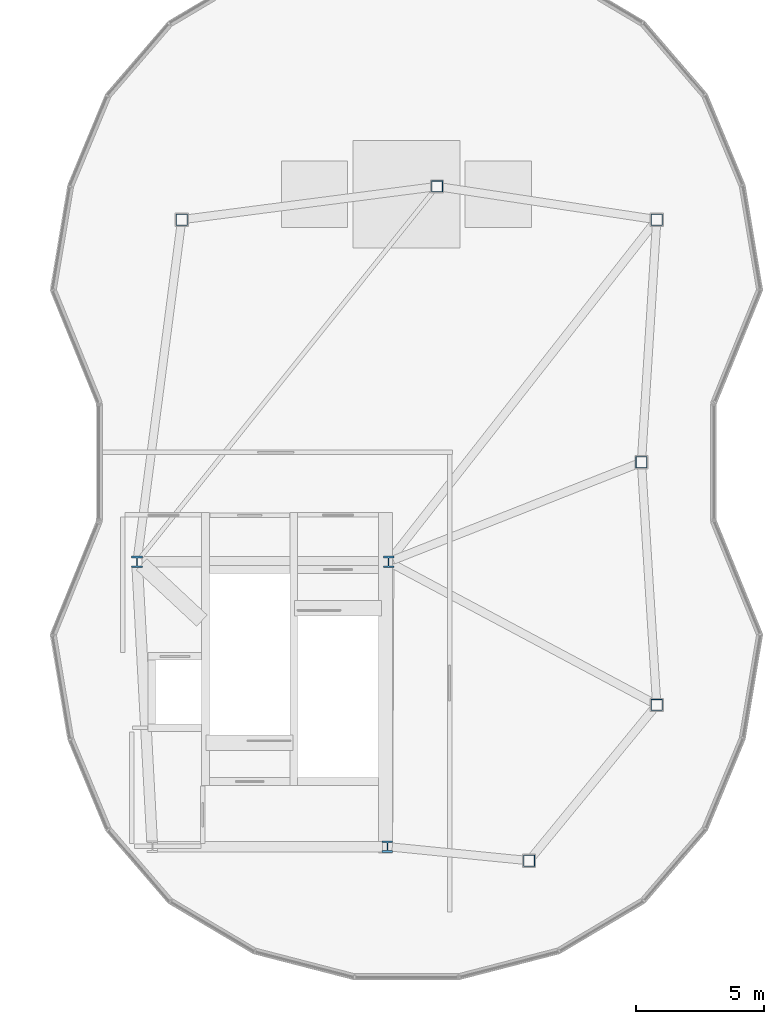
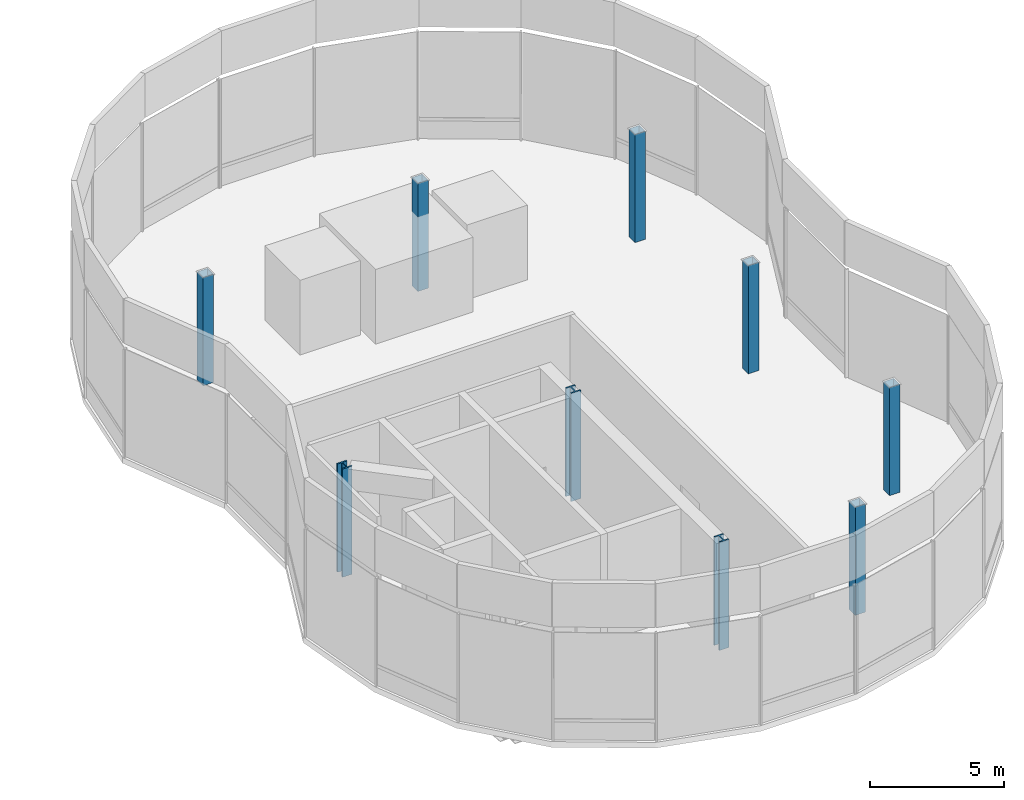
# One storey, part 2 of 14: 9 columns.
"""IFC4 building model written with IfcOpenShell, lengths in metres."""

from ifc_helpers import new_model, si_unit, direction, frame, origin, origin_2d, place, context, subcontext, project, spatial, hollow_rectangle, i_section, extrude, material, material_profile, profile_set, type_object, element, save


model = new_model("IFC4")

# Units and contexts
model_context = context("Model", 3, precision=1e-05, world=origin(), true_north=direction((0.0, 1.0)))
body_context = subcontext(model_context, "Body", "Model", "MODEL_VIEW")
ifc_project = project(units=[si_unit("LENGTHUNIT", "METRE"), si_unit("AREAUNIT", "SQUARE_METRE"), si_unit("VOLUMEUNIT", "CUBIC_METRE"), si_unit("PLANEANGLEUNIT", "RADIAN"), si_unit("MASSUNIT", "GRAM", prefix="KILO"), si_unit("THERMODYNAMICTEMPERATUREUNIT", "KELVIN"), si_unit("POWERUNIT", "WATT")], contexts=[model_context])

# Site, building, storey
site_placement = place(None, origin())
site = spatial("IfcSite", under=ifc_project, at=site_placement, CompositionType="ELEMENT")
building_placement = place(site_placement, origin())
building = spatial("IfcBuilding", under=site, at=building_placement, Name="Cundina Bronze Exchange", CompositionType="ELEMENT")
storey_placement = place(building_placement, frame((0.0, 0.0, 286.39990234375)))
storey = spatial("IfcBuildingStorey", under=building, at=storey_placement, Name="L76", CompositionType="ELEMENT", Elevation=286.39990234375)

# Columns
ifc_material_1 = material(Name="Steel ASTM A501 Grade B", Category="steel")
ifc_material_profile_1 = material_profile(ifc_material_1, hollow_rectangle(XDim=0.449951171875, YDim=0.449951171875, WallThickness=0.02490234375, at=origin_2d()), Name="HSS450X450X25", Category="steel")
ifc_profile_set_1 = profile_set([ifc_material_profile_1], Name="Steel ASTM A501 Grade B")
column_type_1 = type_object("IfcColumnType", Name="COL-STL-HSS45", PredefinedType="COLUMN", material=ifc_profile_set_1)
for number, where, z_axis, x_axis, name in (
    (1, (41.199951171875, 0.0, 0.0), (0.0, 0.0, 1.0), (1.0, 0.0, 0.0), "L76 E Inner Ring Column 1"),
    (2, (41.800048828125, -9.5, 0.0), (0.0, 0.0, 1.0), (1.0, 0.0, 0.0), "L76 E Inner Ring Column 2"),
    (3, (36.800048828125, -15.60009765625, 0.0), (0.0, 0.0, 1.0), (1.0, 0.0, 0.0), "L76 E Inner Ring Column 3"),
    (4, (41.800048828125, 9.5, 0.0), (0.0, 0.0, 1.0), (1.0, 0.0, 0.0), "L76 E Inner Ring Column 4"),
    (5, (33.199951171875, 10.800048828125, 0.0), (0.0, 0.0, 1.0), (1.0, 0.0, 0.0), "L76 E Inner Ring Column 5"),
    (6, (23.199951171875, 9.5, 0.0), (0.0, 0.0, 1.0), (1.0, 0.0, 0.0), "L76 E Inner Ring Column 6"),
):
    element("IfcColumn", number, at=place(storey_placement, frame(where, z_axis=z_axis, x_axis=x_axis)), inside=storey, type_object=column_type_1, Name=name, PredefinedType="COLUMN", context=body_context, shape_type="SweptSolid", body=[
        extrude(hollow_rectangle(XDim=0.449951171875, YDim=0.449951171875, WallThickness=0.02490234375, at=origin_2d()), origin(), (0.0, 0.0, 1.0), 4.93017578125),
    ])
ifc_material_2 = material(Name="Steel ASTM A992 Grade 50", Category="steel")
ifc_material_profile_2 = material_profile(ifc_material_2, i_section(OverallWidth=0.416015625, OverallDepth=0.446044921875, WebThickness=0.0390625, FlangeThickness=0.062744140625, FilletRadius=0.01806640625, at=origin_2d()), Name="W14X342", Category="steel")
ifc_profile_set_2 = profile_set([ifc_material_profile_2], Name="Steel ASTM A992 Grade 50")
column_type_2 = type_object("IfcColumnType", Name="COL-STL-W14B", PredefinedType="COLUMN", material=ifc_profile_set_2)
for number, where, z_axis, x_axis, name in (
    (7, (31.300048828125, -3.89990234375, 0.0), (0.0, 0.0, 1.0), (1.0, 0.0, 0.0), "L76 Core Anchor Column E1"),
    (8, (21.449951171875, -3.89990234375, 0.0), (0.0, 0.0, 1.0), (1.0, 0.0, 0.0), "L76 Core Anchor Column E2"),
    (9, (31.25, -15.050048828125, 0.0), (0.0, 0.0, 1.0), (1.0, 0.0, 0.0), "L76 Core Anchor Column E4"),
):
    element("IfcColumn", number, at=place(storey_placement, frame(where, z_axis=z_axis, x_axis=x_axis)), inside=storey, type_object=column_type_2, Name=name, PredefinedType="COLUMN", context=body_context, shape_type="SweptSolid", body=[
        extrude(i_section(OverallWidth=0.416015625, OverallDepth=0.446044921875, WebThickness=0.0390625, FlangeThickness=0.062744140625, FilletRadius=0.01806640625, at=origin_2d()), origin(), (0.0, 0.0, 1.0), 4.93017578125),
    ])

save(model, "model.ifc")
